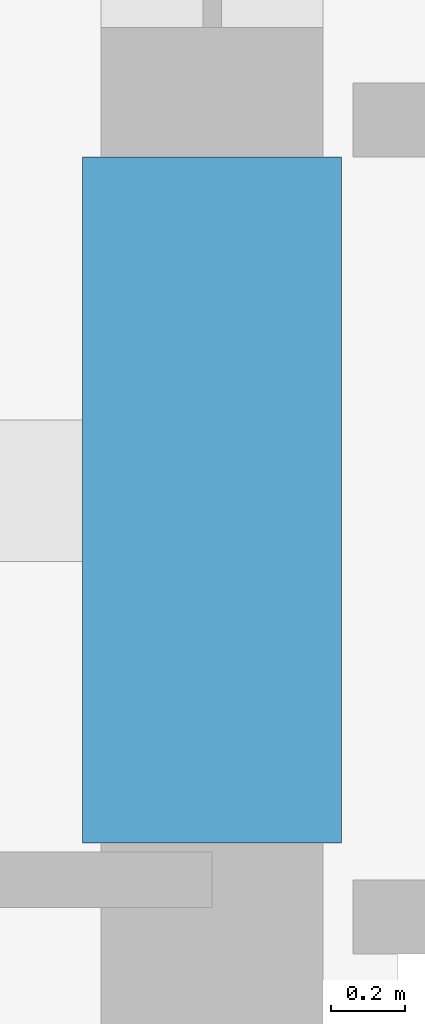
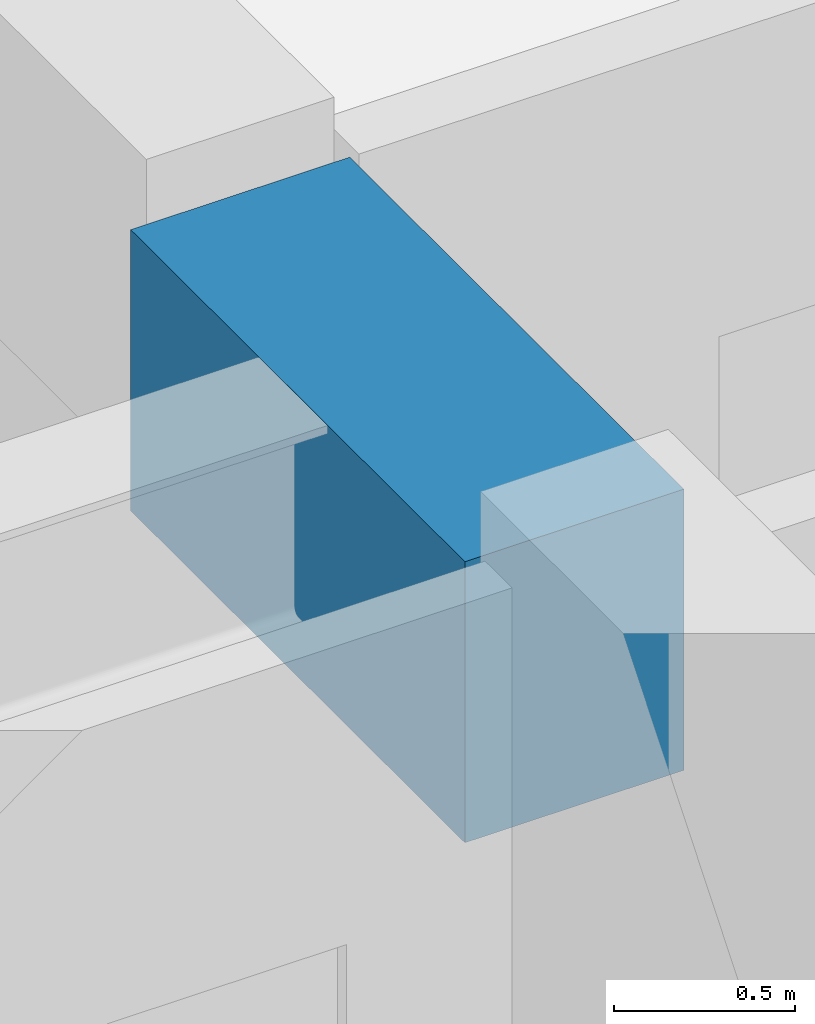
# One storey, part 10 of 38: 1 beam.
"""IFC4 building model written with IfcOpenShell, lengths in metres."""

from ifc_helpers import new_model, si_unit, direction, frame, origin, origin_2d, place, context, subcontext, project, spatial, rectangle, extrude, material, material_profile, profile_set, type_object, element, save


model = new_model("IFC4")

# Units and contexts
model_context = context("Model", 3, precision=1e-05, world=origin(), true_north=direction((0.0, 1.0)))
body_context = subcontext(model_context, "Body", "Model", "MODEL_VIEW")
ifc_project = project(units=[si_unit("LENGTHUNIT", "METRE"), si_unit("AREAUNIT", "SQUARE_METRE"), si_unit("VOLUMEUNIT", "CUBIC_METRE"), si_unit("PLANEANGLEUNIT", "RADIAN"), si_unit("MASSUNIT", "GRAM", prefix="KILO")], contexts=[model_context])

# Site, building, storey
site_placement = place(None, origin())
site = spatial("IfcSite", under=ifc_project, at=site_placement, CompositionType="ELEMENT")
building_placement = place(site_placement, origin())
building = spatial("IfcBuilding", under=site, at=building_placement, Name="Kolvaren Belvedere", CompositionType="ELEMENT")
storey_placement = place(building_placement, frame((0.0, 0.0, 98.60009765625)))
storey = spatial("IfcBuildingStorey", under=building, at=storey_placement, Name="L28", CompositionType="ELEMENT", Elevation=98.60009765625)

# Beam
ifc_material = material(Name="Concrete C60/75", Category="concrete")
ifc_material_profile = material_profile(ifc_material, rectangle(XDim=0.699951171875, YDim=0.949951171875, at=origin_2d()), Name="RC 700X950")
ifc_profile_set = profile_set([ifc_material_profile], Name="Concrete C60/75")
beam_type = type_object("IfcBeamType", Name="BM-LINT-950", PredefinedType="LINTEL", material=ifc_profile_set)
beam_placement = place(storey_placement, frame((-9.89990234375, -5.550048828125, 2.60498046875), z_axis=(0.0, 1.0, 0.0), x_axis=(-1.0, 0.0, 0.0)))
element("IfcBeam", 1, at=beam_placement, inside=storey, type_object=beam_type, Name="L28 West Core Coupling Lintel", PredefinedType="LINTEL", context=body_context, shape_type="SweptSolid", body=[
    extrude(rectangle(XDim=0.699951171875, YDim=0.949951171875, at=origin_2d()), origin(), (0.0, 0.0, 1.0), 1.85009765625),
])

save(model, "model.ifc")
